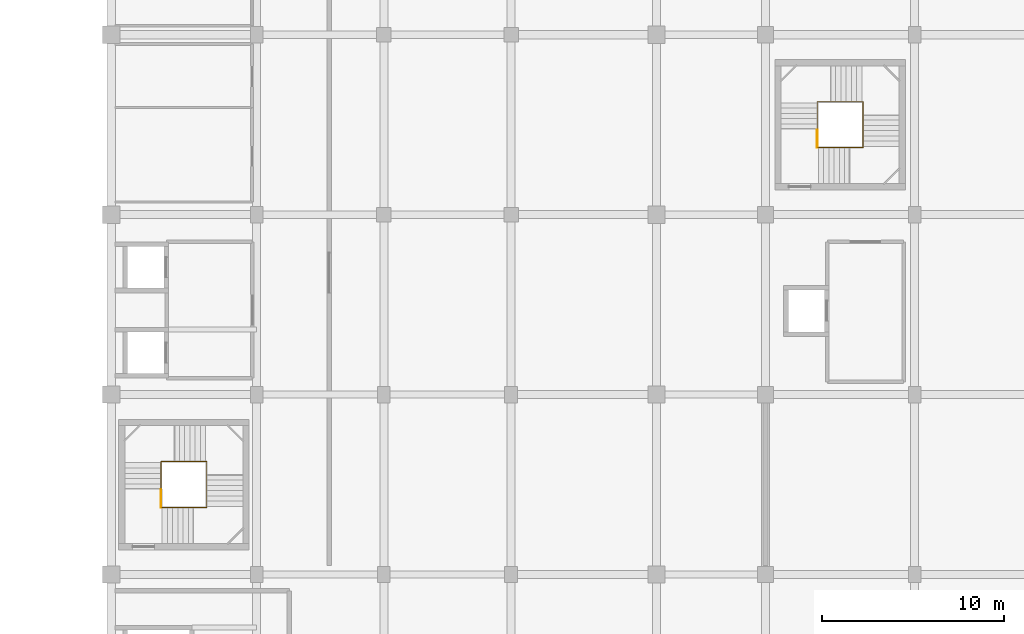
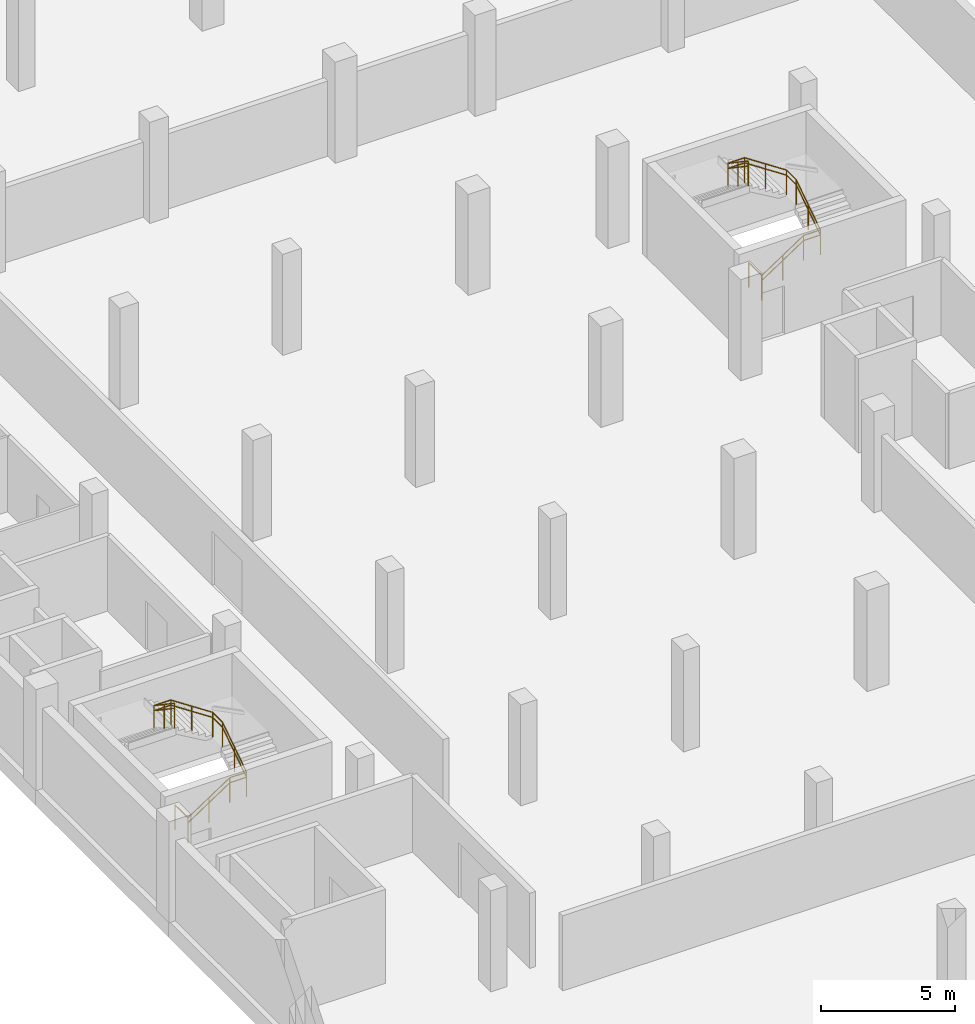
# One storey, part 30 of 32: 6 railings.
"""IFC4 building model written with IfcOpenShell, lengths in metres."""

from ifc_helpers import new_model, si_unit, direction, frame, origin, origin_2d, place, context, subcontext, project, spatial, circle, extrude, material, type_object, element, save


model = new_model("IFC4")

# Units and contexts
model_context = context("Model", 3, precision=1e-05, world=origin(), true_north=direction((0.0, 1.0)))
body_context = subcontext(model_context, "Body", "Model", "MODEL_VIEW")
ifc_project = project(units=[si_unit("LENGTHUNIT", "METRE"), si_unit("AREAUNIT", "SQUARE_METRE"), si_unit("VOLUMEUNIT", "CUBIC_METRE"), si_unit("PLANEANGLEUNIT", "RADIAN"), si_unit("MASSUNIT", "GRAM", prefix="KILO")], contexts=[model_context])

# Site, building, storey
site_placement = place(None, origin())
site = spatial("IfcSite", under=ifc_project, at=site_placement, CompositionType="ELEMENT")
building_placement = place(site_placement, origin())
building = spatial("IfcBuilding", under=site, at=building_placement, Name="Sillaruma Civic Art Gallery", CompositionType="ELEMENT")
storey_placement = place(building_placement, frame((0.0, 0.0, -4.590087890625)))
storey = spatial("IfcBuildingStorey", under=building, at=storey_placement, Name="B01", CompositionType="ELEMENT", Elevation=-4.590087890625)

# Railings
ifc_material = material(Name="Stainless Steel AISI 316", Category="steel")
railing_type_1 = type_object("IfcRailingType", Name="RAL-BAL-1150", PredefinedType="BALUSTRADE", material=ifc_material)
railing_1_placement = place(storey_placement, frame((64.739990234375, 33.389892578125, 0.0)))
element("IfcRailing", 1, at=railing_1_placement, inside=storey, type_object=railing_type_1, Name="Stair Floor Edge Guard (ST-03:B01)", PredefinedType="BALUSTRADE", context=body_context, shape_type="SweptSolid", body=[
    extrude(circle(Radius=0.02392578125, at=origin_2d()), frame((0.0, 0.0, 1.1259765625), z_axis=(0.0, 1.0, 0.0), x_axis=(-1.0, 0.0, 0.0)), (0.0, 0.0, 1.0), 0.97021484375),
    extrude(circle(Radius=0.02099609375, at=origin_2d()), origin(), (0.0, 0.0, 1.0), 1.101806640625),
    extrude(circle(Radius=0.02099609375, at=origin_2d()), frame((0.0, 0.97021484375, 0.0)), (0.0, 0.0, 1.0), 1.101806640625),
])
railing_2_placement = place(storey_placement, frame((64.739990234375, 33.389892578125, 0.0)))
element("IfcRailing", 2, at=railing_2_placement, inside=storey, type_object=railing_type_1, Name="Stair Well Balustrade (ST-03-B01)", PredefinedType="BALUSTRADE", context=body_context, shape_type="SweptSolid", body=[
    extrude(circle(Radius=0.02392578125, at=origin_2d()), frame((0.0, 0.0, 1.1259765625), z_axis=(0.834150363844, 0.0, 0.551537098025), x_axis=(0.0, 1.0, 0.0)), (0.0, 0.0, 1.0), 2.157958984375),
    extrude(circle(Radius=0.02392578125, at=origin_2d()), frame((1.800048828125, 0.0, 2.31591796875), z_axis=(1.0, 0.0, 0.0), x_axis=(0.0, 1.0, 0.0)), (0.0, 0.0, 1.0), 0.719970703125),
    extrude(circle(Radius=0.02392578125, at=origin_2d()), frame((2.52001953125, 0.0, 2.31591796875), z_axis=(0.0, 0.834202413191, 0.551458369984), x_axis=(-1.0, 0.0, 0.0)), (0.0, 0.0, 1.0), 2.15771484375),
    extrude(circle(Radius=0.02392578125, at=origin_2d()), frame((2.52001953125, 1.800048828125, 3.505859375), z_axis=(0.0, 1.0, 0.0), x_axis=(-1.0, 0.0, 0.0)), (0.0, 0.0, 1.0), 0.719970703125),
    extrude(circle(Radius=0.02392578125, at=origin_2d()), frame((2.52001953125, 2.52001953125, 3.505859375), z_axis=(-0.834202413191, 0.0, 0.551458369984), x_axis=(0.0, -1.0, 0.0)), (0.0, 0.0, 1.0), 2.15771484375),
    extrude(circle(Radius=0.02392578125, at=origin_2d()), frame((0.719970703125, 2.52001953125, 4.69580078125), z_axis=(-1.0, 0.0, 0.0), x_axis=(0.0, -1.0, 0.0)), (0.0, 0.0, 1.0), 0.719970703125),
    extrude(circle(Radius=0.02392578125, at=origin_2d()), frame((0.0, 2.52001953125, 4.69580078125), z_axis=(0.0, -0.828654473869, 0.559760451387), x_axis=(1.0, 0.0, 0.0)), (0.0, 0.0, 1.0), 1.822265625),
    extrude(circle(Radius=0.02099609375, at=origin_2d()), origin(), (0.0, 0.0, 1.0), 1.101806640625),
    extrude(circle(Radius=0.02099609375, at=origin_2d()), frame((0.89990234375, 0.0, 0.59521484375)), (0.0, 0.0, 1.0), 1.101806640625),
    extrude(circle(Radius=0.02099609375, at=origin_2d()), frame((1.800048828125, 0.0, 1.190185546875)), (0.0, 0.0, 1.0), 1.101806640625),
    extrude(circle(Radius=0.02099609375, at=origin_2d()), frame((2.52001953125, 0.0, 1.190185546875)), (0.0, 0.0, 1.0), 1.101806640625),
    extrude(circle(Radius=0.02099609375, at=origin_2d()), frame((2.52001953125, 0.89990234375, 1.78515625)), (0.0, 0.0, 1.0), 1.101806640625),
    extrude(circle(Radius=0.02099609375, at=origin_2d()), frame((2.52001953125, 1.800048828125, 2.380126953125)), (0.0, 0.0, 1.0), 1.101806640625),
    extrude(circle(Radius=0.02099609375, at=origin_2d()), frame((2.52001953125, 2.52001953125, 2.380126953125)), (0.0, 0.0, 1.0), 1.101806640625),
    extrude(circle(Radius=0.02099609375, at=origin_2d()), frame((1.6201171875, 2.52001953125, 2.97509765625)), (0.0, 0.0, 1.0), 1.101806640625),
    extrude(circle(Radius=0.02099609375, at=origin_2d()), frame((0.719970703125, 2.52001953125, 3.570068359375)), (0.0, 0.0, 1.0), 1.101806640625),
    extrude(circle(Radius=0.02099609375, at=origin_2d()), frame((0.0, 2.52001953125, 3.570068359375)), (0.0, 0.0, 1.0), 1.101806640625),
    extrude(circle(Radius=0.02099609375, at=origin_2d()), frame((0.0, 1.76513671875, 4.080078125)), (0.0, 0.0, 1.0), 1.101806640625),
    extrude(circle(Radius=0.02099609375, at=origin_2d()), frame((0.0, 1.010009765625, 4.590087890625)), (0.0, 0.0, 1.0), 1.101806640625),
])
railing_3_placement = place(storey_placement, frame((100.840087890625, 53.18994140625, 0.0)))
element("IfcRailing", 3, at=railing_3_placement, inside=storey, type_object=railing_type_1, Name="Stair Floor Edge Guard (ST-04:B01)", PredefinedType="BALUSTRADE", context=body_context, shape_type="SweptSolid", body=[
    extrude(circle(Radius=0.02392578125, at=origin_2d()), frame((0.0, 0.0, 1.1259765625), z_axis=(0.0, 1.0, 0.0), x_axis=(-1.0, 0.0, 0.0)), (0.0, 0.0, 1.0), 0.969970703125),
    extrude(circle(Radius=0.02099609375, at=origin_2d()), origin(), (0.0, 0.0, 1.0), 1.101806640625),
    extrude(circle(Radius=0.02099609375, at=origin_2d()), frame((0.0, 0.969970703125, 0.0)), (0.0, 0.0, 1.0), 1.101806640625),
])
railing_4_placement = place(storey_placement, frame((100.840087890625, 53.18994140625, 0.0)))
element("IfcRailing", 4, at=railing_4_placement, inside=storey, type_object=railing_type_1, Name="Stair Well Balustrade (ST-04-B01)", PredefinedType="BALUSTRADE", context=body_context, shape_type="SweptSolid", body=[
    extrude(circle(Radius=0.02392578125, at=origin_2d()), frame((0.0, 0.0, 1.1259765625), z_axis=(0.83411594383, 0.0, 0.551589151678), x_axis=(0.0, 1.0, 0.0)), (0.0, 0.0, 1.0), 2.15771484375),
    extrude(circle(Radius=0.02392578125, at=origin_2d()), frame((1.7998046875, 0.0, 2.31591796875), z_axis=(1.0, 0.0, 0.0), x_axis=(0.0, 1.0, 0.0)), (0.0, 0.0, 1.0), 0.72021484375),
    extrude(circle(Radius=0.02392578125, at=origin_2d()), frame((2.52001953125, 0.0, 2.31591796875), z_axis=(0.0, 0.834202413191, 0.551458369984), x_axis=(-1.0, 0.0, 0.0)), (0.0, 0.0, 1.0), 2.15771484375),
    extrude(circle(Radius=0.02392578125, at=origin_2d()), frame((2.52001953125, 1.800048828125, 3.505859375), z_axis=(0.0, 1.0, 0.0), x_axis=(-1.0, 0.0, 0.0)), (0.0, 0.0, 1.0), 0.719970703125),
    extrude(circle(Radius=0.02392578125, at=origin_2d()), frame((2.52001953125, 2.52001953125, 3.505859375), z_axis=(-0.834202413191, 0.0, 0.551458369984), x_axis=(0.0, -1.0, 0.0)), (0.0, 0.0, 1.0), 2.15771484375),
    extrude(circle(Radius=0.02392578125, at=origin_2d()), frame((0.719970703125, 2.52001953125, 4.69580078125), z_axis=(-1.0, 0.0, 0.0), x_axis=(0.0, -1.0, 0.0)), (0.0, 0.0, 1.0), 0.719970703125),
    extrude(circle(Radius=0.02392578125, at=origin_2d()), frame((0.0, 2.52001953125, 4.69580078125), z_axis=(0.0, -0.828654473869, 0.559760451387), x_axis=(1.0, 0.0, 0.0)), (0.0, 0.0, 1.0), 1.822265625),
    extrude(circle(Radius=0.02099609375, at=origin_2d()), origin(), (0.0, 0.0, 1.0), 1.101806640625),
    extrude(circle(Radius=0.02099609375, at=origin_2d()), frame((0.89990234375, 0.0, 0.59521484375)), (0.0, 0.0, 1.0), 1.101806640625),
    extrude(circle(Radius=0.02099609375, at=origin_2d()), frame((1.7998046875, 0.0, 1.190185546875)), (0.0, 0.0, 1.0), 1.101806640625),
    extrude(circle(Radius=0.02099609375, at=origin_2d()), frame((2.52001953125, 0.0, 1.190185546875)), (0.0, 0.0, 1.0), 1.101806640625),
    extrude(circle(Radius=0.02099609375, at=origin_2d()), frame((2.52001953125, 0.89990234375, 1.78515625)), (0.0, 0.0, 1.0), 1.101806640625),
    extrude(circle(Radius=0.02099609375, at=origin_2d()), frame((2.52001953125, 1.800048828125, 2.380126953125)), (0.0, 0.0, 1.0), 1.101806640625),
    extrude(circle(Radius=0.02099609375, at=origin_2d()), frame((2.52001953125, 2.52001953125, 2.380126953125)), (0.0, 0.0, 1.0), 1.101806640625),
    extrude(circle(Radius=0.02099609375, at=origin_2d()), frame((1.6201171875, 2.52001953125, 2.97509765625)), (0.0, 0.0, 1.0), 1.101806640625),
    extrude(circle(Radius=0.02099609375, at=origin_2d()), frame((0.719970703125, 2.52001953125, 3.570068359375)), (0.0, 0.0, 1.0), 1.101806640625),
    extrude(circle(Radius=0.02099609375, at=origin_2d()), frame((0.0, 2.52001953125, 3.570068359375)), (0.0, 0.0, 1.0), 1.101806640625),
    extrude(circle(Radius=0.02099609375, at=origin_2d()), frame((0.0, 1.76513671875, 4.080078125)), (0.0, 0.0, 1.0), 1.101806640625),
    extrude(circle(Radius=0.02099609375, at=origin_2d()), frame((0.0, 1.010009765625, 4.590087890625)), (0.0, 0.0, 1.0), 1.101806640625),
])
railing_type_2 = type_object("IfcRailingType", Name="RAL-HND-920", PredefinedType="HANDRAIL", material=ifc_material)
railing_5_placement = place(storey_placement, frame((64.739990234375, 33.389892578125, 0.0)))
element("IfcRailing", 5, at=railing_5_placement, inside=storey, type_object=railing_type_2, Name="Stair Continuous Handrail (ST-03-B01)", PredefinedType="HANDRAIL", context=body_context, shape_type="SweptSolid", body=[
    extrude(circle(Radius=0.02392578125, at=origin_2d()), frame((0.0, 0.0, 0.89599609375), z_axis=(0.834150363844, 0.0, 0.551537098025), x_axis=(0.0, 1.0, 0.0)), (0.0, 0.0, 1.0), 2.157958984375),
    extrude(circle(Radius=0.02392578125, at=origin_2d()), frame((1.800048828125, 0.0, 2.0859375), z_axis=(1.0, 0.0, 0.0), x_axis=(0.0, 1.0, 0.0)), (0.0, 0.0, 1.0), 0.719970703125),
    extrude(circle(Radius=0.02392578125, at=origin_2d()), frame((2.52001953125, 0.0, 2.0859375), z_axis=(0.0, 0.834202413191, 0.551458369984), x_axis=(-1.0, 0.0, 0.0)), (0.0, 0.0, 1.0), 2.15771484375),
    extrude(circle(Radius=0.02392578125, at=origin_2d()), frame((2.52001953125, 1.800048828125, 3.27587890625), z_axis=(0.0, 1.0, 0.0), x_axis=(-1.0, 0.0, 0.0)), (0.0, 0.0, 1.0), 0.719970703125),
    extrude(circle(Radius=0.02392578125, at=origin_2d()), frame((2.52001953125, 2.52001953125, 3.27587890625), z_axis=(-0.834202413191, 0.0, 0.551458369984), x_axis=(0.0, -1.0, 0.0)), (0.0, 0.0, 1.0), 2.15771484375),
    extrude(circle(Radius=0.02392578125, at=origin_2d()), frame((0.719970703125, 2.52001953125, 4.4658203125), z_axis=(-1.0, 0.0, 0.0), x_axis=(0.0, -1.0, 0.0)), (0.0, 0.0, 1.0), 0.719970703125),
    extrude(circle(Radius=0.02392578125, at=origin_2d()), frame((0.0, 2.52001953125, 4.4658203125), z_axis=(0.0, -0.828654473869, 0.559760451387), x_axis=(1.0, 0.0, 0.0)), (0.0, 0.0, 1.0), 1.822265625),
    extrude(circle(Radius=0.02099609375, at=origin_2d()), origin(), (0.0, 0.0, 1.0), 0.871826171875),
    extrude(circle(Radius=0.02099609375, at=origin_2d()), frame((0.89990234375, 0.0, 0.59521484375)), (0.0, 0.0, 1.0), 0.871826171875),
    extrude(circle(Radius=0.02099609375, at=origin_2d()), frame((1.800048828125, 0.0, 1.190185546875)), (0.0, 0.0, 1.0), 0.871826171875),
    extrude(circle(Radius=0.02099609375, at=origin_2d()), frame((2.52001953125, 0.0, 1.190185546875)), (0.0, 0.0, 1.0), 0.871826171875),
    extrude(circle(Radius=0.02099609375, at=origin_2d()), frame((2.52001953125, 0.89990234375, 1.78515625)), (0.0, 0.0, 1.0), 0.871826171875),
    extrude(circle(Radius=0.02099609375, at=origin_2d()), frame((2.52001953125, 1.800048828125, 2.380126953125)), (0.0, 0.0, 1.0), 0.871826171875),
    extrude(circle(Radius=0.02099609375, at=origin_2d()), frame((2.52001953125, 2.52001953125, 2.380126953125)), (0.0, 0.0, 1.0), 0.871826171875),
    extrude(circle(Radius=0.02099609375, at=origin_2d()), frame((1.6201171875, 2.52001953125, 2.97509765625)), (0.0, 0.0, 1.0), 0.871826171875),
    extrude(circle(Radius=0.02099609375, at=origin_2d()), frame((0.719970703125, 2.52001953125, 3.570068359375)), (0.0, 0.0, 1.0), 0.871826171875),
    extrude(circle(Radius=0.02099609375, at=origin_2d()), frame((0.0, 2.52001953125, 3.570068359375)), (0.0, 0.0, 1.0), 0.871826171875),
    extrude(circle(Radius=0.02099609375, at=origin_2d()), frame((0.0, 1.76513671875, 4.080078125)), (0.0, 0.0, 1.0), 0.871826171875),
    extrude(circle(Radius=0.02099609375, at=origin_2d()), frame((0.0, 1.010009765625, 4.590087890625)), (0.0, 0.0, 1.0), 0.871826171875),
])
railing_6_placement = place(storey_placement, frame((100.840087890625, 53.18994140625, 0.0)))
element("IfcRailing", 6, at=railing_6_placement, inside=storey, type_object=railing_type_2, Name="Stair Continuous Handrail (ST-04-B01)", PredefinedType="HANDRAIL", context=body_context, shape_type="SweptSolid", body=[
    extrude(circle(Radius=0.02392578125, at=origin_2d()), frame((0.0, 0.0, 0.89599609375), z_axis=(0.83411594383, 0.0, 0.551589151678), x_axis=(0.0, 1.0, 0.0)), (0.0, 0.0, 1.0), 2.15771484375),
    extrude(circle(Radius=0.02392578125, at=origin_2d()), frame((1.7998046875, 0.0, 2.0859375), z_axis=(1.0, 0.0, 0.0), x_axis=(0.0, 1.0, 0.0)), (0.0, 0.0, 1.0), 0.72021484375),
    extrude(circle(Radius=0.02392578125, at=origin_2d()), frame((2.52001953125, 0.0, 2.0859375), z_axis=(0.0, 0.834202413191, 0.551458369984), x_axis=(-1.0, 0.0, 0.0)), (0.0, 0.0, 1.0), 2.15771484375),
    extrude(circle(Radius=0.02392578125, at=origin_2d()), frame((2.52001953125, 1.800048828125, 3.27587890625), z_axis=(0.0, 1.0, 0.0), x_axis=(-1.0, 0.0, 0.0)), (0.0, 0.0, 1.0), 0.719970703125),
    extrude(circle(Radius=0.02392578125, at=origin_2d()), frame((2.52001953125, 2.52001953125, 3.27587890625), z_axis=(-0.834202413191, 0.0, 0.551458369984), x_axis=(0.0, -1.0, 0.0)), (0.0, 0.0, 1.0), 2.15771484375),
    extrude(circle(Radius=0.02392578125, at=origin_2d()), frame((0.719970703125, 2.52001953125, 4.4658203125), z_axis=(-1.0, 0.0, 0.0), x_axis=(0.0, -1.0, 0.0)), (0.0, 0.0, 1.0), 0.719970703125),
    extrude(circle(Radius=0.02392578125, at=origin_2d()), frame((0.0, 2.52001953125, 4.4658203125), z_axis=(0.0, -0.828654473869, 0.559760451387), x_axis=(1.0, 0.0, 0.0)), (0.0, 0.0, 1.0), 1.822265625),
    extrude(circle(Radius=0.02099609375, at=origin_2d()), origin(), (0.0, 0.0, 1.0), 0.871826171875),
    extrude(circle(Radius=0.02099609375, at=origin_2d()), frame((0.89990234375, 0.0, 0.59521484375)), (0.0, 0.0, 1.0), 0.871826171875),
    extrude(circle(Radius=0.02099609375, at=origin_2d()), frame((1.7998046875, 0.0, 1.190185546875)), (0.0, 0.0, 1.0), 0.871826171875),
    extrude(circle(Radius=0.02099609375, at=origin_2d()), frame((2.52001953125, 0.0, 1.190185546875)), (0.0, 0.0, 1.0), 0.871826171875),
    extrude(circle(Radius=0.02099609375, at=origin_2d()), frame((2.52001953125, 0.89990234375, 1.78515625)), (0.0, 0.0, 1.0), 0.871826171875),
    extrude(circle(Radius=0.02099609375, at=origin_2d()), frame((2.52001953125, 1.800048828125, 2.380126953125)), (0.0, 0.0, 1.0), 0.871826171875),
    extrude(circle(Radius=0.02099609375, at=origin_2d()), frame((2.52001953125, 2.52001953125, 2.380126953125)), (0.0, 0.0, 1.0), 0.871826171875),
    extrude(circle(Radius=0.02099609375, at=origin_2d()), frame((1.6201171875, 2.52001953125, 2.97509765625)), (0.0, 0.0, 1.0), 0.871826171875),
    extrude(circle(Radius=0.02099609375, at=origin_2d()), frame((0.719970703125, 2.52001953125, 3.570068359375)), (0.0, 0.0, 1.0), 0.871826171875),
    extrude(circle(Radius=0.02099609375, at=origin_2d()), frame((0.0, 2.52001953125, 3.570068359375)), (0.0, 0.0, 1.0), 0.871826171875),
    extrude(circle(Radius=0.02099609375, at=origin_2d()), frame((0.0, 1.76513671875, 4.080078125)), (0.0, 0.0, 1.0), 0.871826171875),
    extrude(circle(Radius=0.02099609375, at=origin_2d()), frame((0.0, 1.010009765625, 4.590087890625)), (0.0, 0.0, 1.0), 0.871826171875),
])

save(model, "model.ifc")
